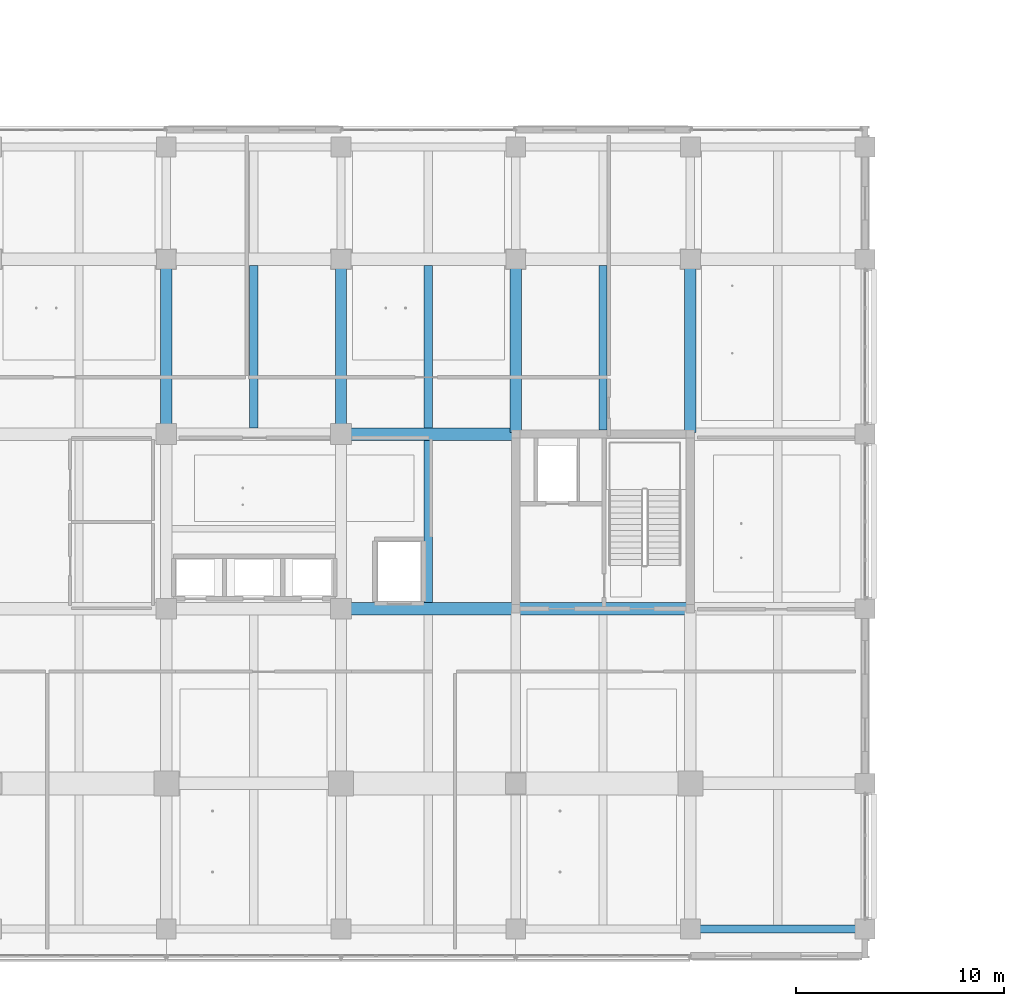
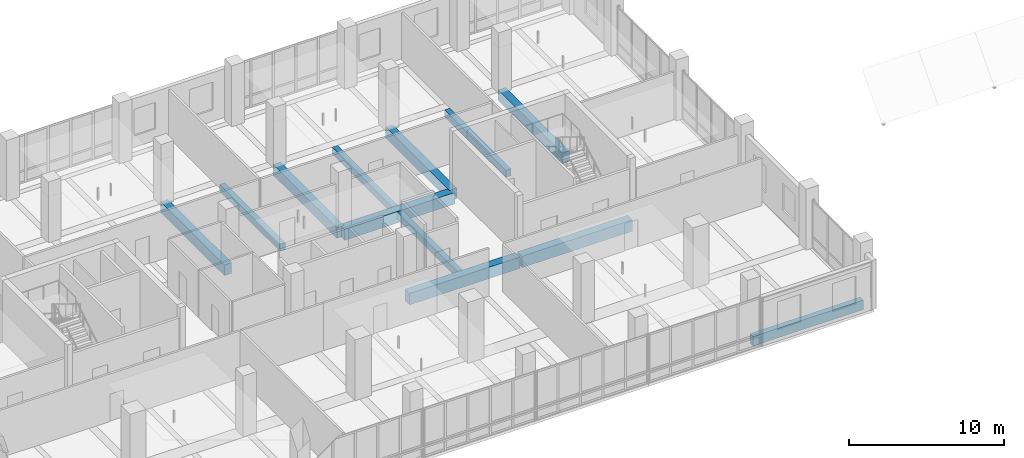
# One storey, part 19 of 122: 12 beams.
"""IFC4 building model written with IfcOpenShell, lengths in metres."""

from ifc_helpers import new_model, si_unit, direction, frame, origin, origin_2d, place, context, subcontext, project, spatial, rectangle, extrude, material, material_profile, profile_set, type_object, element, save


model = new_model("IFC4")

# Units and contexts
model_context = context("Model", 3, precision=1e-05, world=origin(), true_north=direction((0.0, 1.0)))
body_context = subcontext(model_context, "Body", "Model", "MODEL_VIEW")
ifc_project = project(units=[si_unit("LENGTHUNIT", "METRE"), si_unit("AREAUNIT", "SQUARE_METRE"), si_unit("VOLUMEUNIT", "CUBIC_METRE"), si_unit("PLANEANGLEUNIT", "RADIAN"), si_unit("MASSUNIT", "GRAM", prefix="KILO")], contexts=[model_context])

# Site, building, storey
site_placement = place(None, origin())
site = spatial("IfcSite", under=ifc_project, at=site_placement, CompositionType="ELEMENT")
building_placement = place(site_placement, origin())
building = spatial("IfcBuilding", under=site, at=building_placement, Name="Telukmera Botanical Conservatory", CompositionType="ELEMENT")
storey_placement = place(building_placement, frame((0.0, 0.0, 10.199951171875)))
storey = spatial("IfcBuildingStorey", under=building, at=storey_placement, Name="L02", CompositionType="ELEMENT", Elevation=10.199951171875)

# Beams
ifc_material_1 = material(Name="Concrete C40/50", Category="concrete")
ifc_material_profile_1 = material_profile(ifc_material_1, rectangle(XDim=0.39990234375, YDim=0.550048828125, at=origin_2d()), Name="RC 400x550")
ifc_profile_set_1 = profile_set([ifc_material_profile_1], Name="Concrete C40/50")
beam_type_1 = type_object("IfcBeamType", Name="Beam_B19", PredefinedType="JOIST", material=ifc_profile_set_1)
for number, where, z_axis, x_axis, name in (
    (1, (79.800048828125, 34.699951171875, -0.27490234375), (0.0, 1.0, 0.0), (-1.0, 0.0, 0.0), "Tower Secondary Floor Joist L02"),
    (2, (88.199951171875, 26.300048828125, -0.27490234375), (0.0, 1.0, 0.0), (-1.0, 0.0, 0.0), "Tower Secondary Floor Joist L02"),
    (3, (88.199951171875, 34.699951171875, -0.27490234375), (0.0, 1.0, 0.0), (-1.0, 0.0, 0.0), "Tower Secondary Floor Joist L02"),
):
    element("IfcBeam", number, at=place(storey_placement, frame(where, z_axis=z_axis, x_axis=x_axis)), inside=storey, type_object=beam_type_1, Name=name, PredefinedType="JOIST", context=body_context, shape_type="SweptSolid", body=[
        extrude(rectangle(XDim=0.39990234375, YDim=0.550048828125, at=origin_2d()), origin(), (0.0, 0.0, 1.0), 7.800048828125),
    ])
beam_1_placement = place(storey_placement, frame((96.60009765625, 34.60009765625, -0.27490234375), z_axis=(0.0, 1.0, 0.0), x_axis=(-1.0, 0.0, 0.0)))
element("IfcBeam", 4, at=beam_1_placement, inside=storey, type_object=beam_type_1, Name="Tower Secondary Floor Joist L02", PredefinedType="JOIST", context=body_context, shape_type="SweptSolid", body=[
    extrude(rectangle(XDim=0.39990234375, YDim=0.550048828125, at=origin_2d()), origin(), (0.0, 0.0, 1.0), 7.89990234375),
])
ifc_material_profile_2 = material_profile(ifc_material_1, rectangle(XDim=0.60009765625, YDim=0.89990234375, at=origin_2d()), Name="RC 600x900")
ifc_profile_set_2 = profile_set([ifc_material_profile_2], Name="Concrete C40/50")
beam_type_2 = type_object("IfcBeamType", Name="Beam_B3", PredefinedType="BEAM", material=ifc_profile_set_2)
for number, where, z_axis, x_axis, name in (
    (5, (84.080078125, 26.0, -0.449951171875), (1.0, 0.0, 0.0), (0.0, 1.0, 0.0), "Tower Grid Beam L02"),
    (6, (92.47998046875, 26.0, -0.449951171875), (1.0, 0.0, 0.0), (0.0, 1.0, 0.0), "Tower Grid Beam L02"),
    (7, (84.080078125, 34.39990234375, -0.449951171875), (1.0, 0.0, 0.0), (0.0, 1.0, 0.0), "Tower Grid Beam L02"),
):
    element("IfcBeam", number, at=place(storey_placement, frame(where, z_axis=z_axis, x_axis=x_axis)), inside=storey, type_object=beam_type_2, Name=name, PredefinedType="BEAM", context=body_context, shape_type="SweptSolid", body=[
        extrude(rectangle(XDim=0.60009765625, YDim=0.89990234375, at=origin_2d()), origin(), (0.0, 0.0, 1.0), 8.239990234375),
    ])
ifc_material_profile_3 = material_profile(ifc_material_1, rectangle(XDim=0.550048828125, YDim=0.85009765625, at=origin_2d()), Name="RC 550x850")
ifc_profile_set_3 = profile_set([ifc_material_profile_3], Name="Concrete C40/50")
beam_type_3 = type_object("IfcBeamType", Name="Beam_B4", PredefinedType="BEAM", material=ifc_profile_set_3)
for number, where, z_axis, x_axis, name in (
    (8, (75.60009765625, 34.47998046875, -0.425048828125), (0.0, 1.0, 0.0), (-1.0, 0.0, 0.0), "Tower Transverse Beam L02"),
    (9, (84.0, 34.47998046875, -0.425048828125), (0.0, 1.0, 0.0), (-1.0, 0.0, 0.0), "Tower Transverse Beam L02"),
    (10, (92.39990234375, 34.47998046875, -0.425048828125), (0.0, 1.0, 0.0), (-1.0, 0.0, 0.0), "Tower Transverse Beam L02"),
    (11, (100.800048828125, 34.47998046875, -0.425048828125), (0.0, 1.0, 0.0), (-1.0, 0.0, 0.0), "Tower Transverse Beam L02"),
):
    element("IfcBeam", number, at=place(storey_placement, frame(where, z_axis=z_axis, x_axis=x_axis)), inside=storey, type_object=beam_type_3, Name=name, PredefinedType="BEAM", context=body_context, shape_type="SweptSolid", body=[
        extrude(rectangle(XDim=0.550048828125, YDim=0.85009765625, at=origin_2d()), origin(), (0.0, 0.0, 1.0), 8.239990234375),
    ])
ifc_material_2 = material(Name="Precast concrete C40/50", Category="concrete")
ifc_material_profile_4 = material_profile(ifc_material_2, rectangle(XDim=0.39990234375, YDim=0.75, at=origin_2d()), Name="PC 400x750")
ifc_profile_set_4 = profile_set([ifc_material_profile_4], Name="Precast concrete C40/50")
beam_type_4 = type_object("IfcBeamType", Name="Beam_SP1", PredefinedType="SPANDREL", material=ifc_profile_set_4)
beam_2_placement = place(storey_placement, frame((100.8798828125, 10.60009765625, -0.375), z_axis=(1.0, 0.0, 0.0), x_axis=(0.0, 1.0, 0.0)))
element("IfcBeam", 12, at=beam_2_placement, inside=storey, type_object=beam_type_4, Name="Tower Grid Beam L02", PredefinedType="SPANDREL", context=body_context, shape_type="SweptSolid", body=[
    extrude(rectangle(XDim=0.39990234375, YDim=0.75, at=origin_2d()), origin(), (0.0, 0.0, 1.0), 8.240234375),
])

save(model, "model.ifc")
